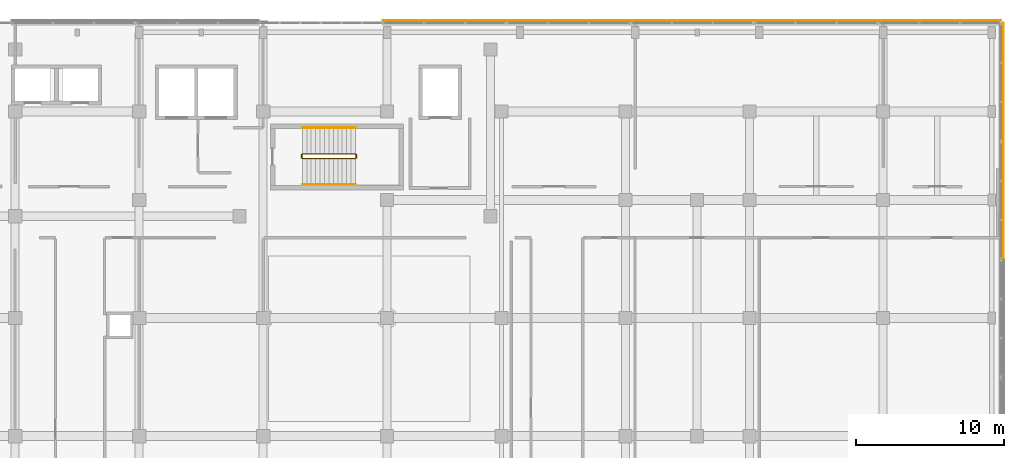
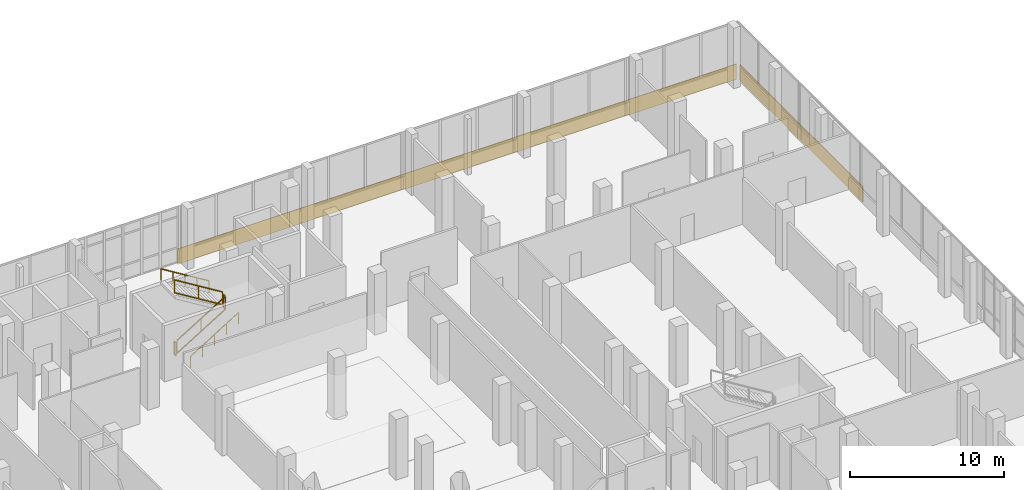
# One storey, part 168 of 168: 7 coverings, 6 railings.
"""IFC4 building model written with IfcOpenShell, lengths in metres."""

import ifcopenshell
import ifcopenshell.guid

model = None  # the IFC model being written
_history = None  # IfcOwnerHistory: only IFC2X3 demands one
_inside = {}  # id of a spatial element -> (the spatial element, [elements in it])
_under = {}  # id of a project, library or spatial element -> (it, [spatial elements below it])
_declared = {}  # id of a project -> (the project, [libraries it declares])
_typed = {}  # id of a type object -> (the type object, [elements of that type])
_made_of = {}  # id of a material, layer set ... -> (it, [elements and type objects made of it])


def new_model(schema):
    """Start an empty IFC model of exactly this schema.

    Asked for "IFC4X3", IfcOpenShell would pick the latest addendum, in which some entities
    have other attributes; the version numbers below select the first issue.
    IFC2X3 requires an IfcOwnerHistory on every rooted entity: one is made here for all.
    """
    global model, _history
    if schema == "IFC4X3":
        model = ifcopenshell.file(schema_version=(4, 3, 0, 0))
    else:
        model = ifcopenshell.file(schema=schema)
    _inside.clear()
    _under.clear()
    _declared.clear()
    _typed.clear()
    _made_of.clear()
    _history = None
    if model.schema == "IFC2X3":
        org = make("IfcOrganization", Name="unknown")
        user = make(
            "IfcPersonAndOrganization",
            ThePerson=make("IfcPerson", FamilyName="unknown"),
            TheOrganization=org,
        )
        app = make(
            "IfcApplication",
            ApplicationDeveloper=org,
            Version="unknown",
            ApplicationFullName="unknown",
            ApplicationIdentifier="unknown",
        )
        _history = make(
            "IfcOwnerHistory",
            OwningUser=user,
            OwningApplication=app,
            ChangeAction="ADDED",
            CreationDate=0,
        )
    return model


def make(cls, **values):
    """One entity of the class cls with the attributes given. An attribute that is None is left unset."""
    return model.create_entity(
        cls, **{name: value for name, value in values.items() if value is not None}
    )


def rooted(cls, **values):
    """An entity with a GlobalId (a new one), such as an element, a storey or a relation."""
    return make(cls, GlobalId=ifcopenshell.guid.new(), OwnerHistory=_history, **values)


def si_unit(unit_type, name, prefix=None):
    """IfcSIUnit, for example si_unit("LENGTHUNIT", "METRE", prefix="MILLI")."""
    return make("IfcSIUnit", UnitType=unit_type, Prefix=prefix, Name=name)


def assignment(units):
    """IfcUnitAssignment: the units of a project."""
    return None if units is None else make("IfcUnitAssignment", Units=units)


def point(xyz):
    """IfcCartesianPoint."""
    return None if xyz is None else make("IfcCartesianPoint", Coordinates=xyz)


def direction(xyz):
    """IfcDirection."""
    return None if xyz is None else make("IfcDirection", DirectionRatios=xyz)


def frame(location, z_axis=None, x_axis=None):
    """IfcAxis2Placement3D, a coordinate frame: its origin and axes. An axis left out is left unset."""
    return make(
        "IfcAxis2Placement3D",
        Location=point(location),
        Axis=direction(z_axis),
        RefDirection=direction(x_axis),
    )


def frame_2d(location, x_axis=None):
    """IfcAxis2Placement2D, a coordinate frame in the plane: its origin and x axis."""
    return make(
        "IfcAxis2Placement2D", Location=point(location), RefDirection=direction(x_axis)
    )


def origin():
    """The frame at (0, 0, 0) with its axes left unset."""
    return frame((0.0, 0.0, 0.0))


def origin_2d():
    """The frame at (0, 0) in the plane with its x axis left unset."""
    return frame_2d((0.0, 0.0))


def place(relative_to, where):
    """IfcLocalPlacement: puts the frame where relative to a parent placement (None: the world)."""
    return make(
        "IfcLocalPlacement", PlacementRelTo=relative_to, RelativePlacement=where
    )


def context(
    kind, dimensions, precision=None, world=None, true_north=None, identifier=None
):
    """IfcGeometricRepresentationContext, for example the 3D "Model" context."""
    return make(
        "IfcGeometricRepresentationContext",
        ContextIdentifier=identifier,
        ContextType=kind,
        CoordinateSpaceDimension=dimensions,
        Precision=precision,
        WorldCoordinateSystem=world,
        TrueNorth=true_north,
    )


def subcontext(parent, identifier, kind, view, scale=None):
    """IfcGeometricRepresentationSubContext, for example "Body" below "Model"."""
    return make(
        "IfcGeometricRepresentationSubContext",
        ContextIdentifier=identifier,
        ContextType=kind,
        ParentContext=parent,
        TargetScale=scale,
        TargetView=view,
    )


def project(units=None, contexts=None):
    """IfcProject with its units and contexts."""
    return rooted(
        "IfcProject",
        Name="project",
        RepresentationContexts=contexts,
        UnitsInContext=assignment(units),
    )


def spatial(cls, under=None, at=None, **own):
    """A site, building, storey or space (cls), placed at a placement, below another one or the project."""
    s = rooted(cls, ObjectPlacement=at, **own)
    if under is not None:
        _under.setdefault(under.id(), (under, []))[1].append(s)
    return s


def profile(cls, at=None, kind="AREA", **sizes):
    """A parametric profile (cls). Its sizes go by their IFC names, for example OverallWidth=200.0."""
    return make(cls, ProfileType=kind, Position=at, **sizes)


def rectangle(**sizes):
    """IfcRectangleProfileDef."""
    return profile("IfcRectangleProfileDef", **sizes)


def circle(**sizes):
    """IfcCircleProfileDef."""
    return profile("IfcCircleProfileDef", **sizes)


def extrude(swept, where, along, depth):
    """IfcExtrudedAreaSolid: the profile swept, set in the frame where, extruded along a direction by depth."""
    return make(
        "IfcExtrudedAreaSolid",
        SweptArea=swept,
        Position=where,
        ExtrudedDirection=direction(along),
        Depth=depth,
    )


def shape(context_of_items, identifier, shape_type, items):
    """IfcShapeRepresentation: the items that make up one representation, for example the "Body"."""
    return make(
        "IfcShapeRepresentation",
        ContextOfItems=context_of_items,
        RepresentationIdentifier=identifier,
        RepresentationType=shape_type,
        Items=items,
    )


def material(Name=None, Category=None):
    """IfcMaterial."""
    return make("IfcMaterial", Name=Name, Category=Category)


def layer(
    of_material, thickness, ventilated=None, Name=None, Category=None, Priority=None
):
    """IfcMaterialLayer: one layer of a wall or slab, of a material (None: an air gap)."""
    return make(
        "IfcMaterialLayer",
        Material=of_material,
        LayerThickness=thickness,
        IsVentilated=ventilated,
        Name=Name,
        Category=Category,
        Priority=Priority,
    )


def layer_set(layers, Name=None):
    """IfcMaterialLayerSet."""
    return make("IfcMaterialLayerSet", MaterialLayers=layers, LayerSetName=Name)


def made_of(thing, what):
    """Note that an element or type object is made of a material, layer set ...; save() writes the relation."""
    if what is not None:
        _made_of.setdefault(what.id(), (what, []))[1].append(thing)
    return thing


def type_object(cls, material=None, **own):
    """A type object (cls), such as IfcWallType, which elements share."""
    return made_of(rooted(cls, **own), material)


def element(
    cls,
    number,
    at=None,
    inside=None,
    cuts=None,
    type_object=None,
    material=None,
    context=None,
    identifier="Body",
    shape_type=None,
    held_by="IfcProductDefinitionShape",
    body=None,
    shapes=None,
    **own,
):
    """One element of the class cls, such as IfcWall. Its Tag is "e" and its number.

    at: its placement. inside: the storey or other place that contains it. cuts: it is an
    opening in that element (IfcRelVoidsElement). A single representation is given by context,
    identifier, shape_type and body (its items); several are given by shapes. held_by: the class
    of the entity that holds the representations. save() writes the other relations.
    """
    e = rooted(cls, Tag="e%d" % number, ObjectPlacement=at, **own)
    if body is not None:
        shapes = [shape(context, identifier, shape_type, body)]
    if shapes is not None:
        e.Representation = make(held_by, Representations=shapes)
    if inside is not None:
        _inside.setdefault(inside.id(), (inside, []))[1].append(e)
    if cuts is not None:
        rooted(
            "IfcRelVoidsElement", RelatingBuildingElement=cuts, RelatedOpeningElement=e
        )
    if type_object is not None:
        _typed.setdefault(type_object.id(), (type_object, []))[1].append(e)
    return made_of(e, material)


def aggregate(whole, parts):
    """IfcRelAggregates: a whole, such as a stair, and the parts it consists of."""
    return rooted("IfcRelAggregates", RelatingObject=whole, RelatedObjects=parts)


def save(model, path):
    """Write the relations noted so far, then the file.

    IfcRelAggregates (storeys below a building ...), IfcRelContainedInSpatialStructure (elements
    in a storey), IfcRelDefinesByType, IfcRelAssociatesMaterial and IfcRelDeclares: one each for
    every whole, place, type object, material and project.
    """
    for whole, parts in _under.values():
        aggregate(whole, parts)
    for where, things in _inside.values():
        rooted(
            "IfcRelContainedInSpatialStructure",
            RelatedElements=things,
            RelatingStructure=where,
        )
    for kind, things in _typed.values():
        rooted("IfcRelDefinesByType", RelatedObjects=things, RelatingType=kind)
    for what, things in _made_of.values():
        rooted("IfcRelAssociatesMaterial", RelatedObjects=things, RelatingMaterial=what)
    for by, libraries in _declared.values():
        rooted("IfcRelDeclares", RelatingContext=by, RelatedDefinitions=libraries)
    model.write(path)


model = new_model("IFC4")

# Units and contexts
model_context = context("Model", 3, precision=1e-05, world=origin(), true_north=direction((0.0, 1.0)))
body_context = subcontext(model_context, "Body", "Model", "MODEL_VIEW")
ifc_project = project(units=[si_unit("LENGTHUNIT", "METRE"), si_unit("AREAUNIT", "SQUARE_METRE"), si_unit("VOLUMEUNIT", "CUBIC_METRE"), si_unit("PLANEANGLEUNIT", "RADIAN"), si_unit("MASSUNIT", "GRAM", prefix="KILO")], contexts=[model_context])

# Site, building, storey
site_placement = place(None, origin())
site = spatial("IfcSite", under=ifc_project, at=site_placement, CompositionType="ELEMENT")
building_placement = place(site_placement, origin())
building = spatial("IfcBuilding", under=site, at=building_placement, Name="Selatvlak General Hospital", CompositionType="ELEMENT")
storey_placement = place(building_placement, frame((0.0, 0.0, 5.39990234375)))
storey = spatial("IfcBuildingStorey", under=building, at=storey_placement, Name="L01", CompositionType="ELEMENT", Elevation=5.39990234375)

# Coverings
ifc_material_1 = material(Name="White Bauhaus fair-faced cladding panel")
ifc_layer = layer(ifc_material_1, 0.054931640625, Name="White Bauhaus fair-faced cladding panel")
ifc_layer_set = layer_set([ifc_layer], Name="White Bauhaus fair-faced cladding panel")
covering_type = type_object("IfcCoveringType", Name="COV-WHT1", PredefinedType="CLADDING", material=ifc_layer_set)
for number, where, z_axis, x_axis, name in (
    (1, (144.2890625, 120.1650390625, -0.27978515625), (0.0, 0.0, 1.0), (1.0, 0.0, 0.0), "L01 Bauhaus horizontal white spandrel band 0065"),
    (2, (152.6689453125, 120.1650390625, -0.27978515625), (0.0, 0.0, 1.0), (1.0, 0.0, 0.0), "L01 Bauhaus horizontal white spandrel band 0066"),
    (3, (161.049072265625, 120.1650390625, -0.27978515625), (0.0, 0.0, 1.0), (1.0, 0.0, 0.0), "L01 Bauhaus horizontal white spandrel band 0067"),
    (4, (169.428955078125, 120.1650390625, -0.27978515625), (0.0, 0.0, 1.0), (1.0, 0.0, 0.0), "L01 Bauhaus horizontal white spandrel band 0068"),
    (5, (177.80908203125, 120.1650390625, -0.27978515625), (0.0, 0.0, 1.0), (1.0, 0.0, 0.0), "L01 Bauhaus horizontal white spandrel band 0069"),
):
    element("IfcCovering", number, at=place(storey_placement, frame(where, z_axis=z_axis, x_axis=x_axis)), inside=storey, type_object=covering_type, Name=name, PredefinedType="CLADDING", context=body_context, shape_type="SweptSolid", body=[
        extrude(rectangle(XDim=8.3798828125, YDim=0.054931640625, at=origin_2d()), origin(), (0.0, 0.0, 1.0), 1.219970703125),
    ])
covering_1_placement = place(storey_placement, frame((182.1640625, 116.0, -0.27978515625), z_axis=(0.0, 0.0, 1.0), x_axis=(0.0, -1.0, 0.0)))
element("IfcCovering", 6, at=covering_1_placement, inside=storey, type_object=covering_type, Name="L01 Bauhaus horizontal white spandrel band 0070", PredefinedType="CLADDING", context=body_context, shape_type="SweptSolid", body=[
    extrude(rectangle(XDim=8.0, YDim=0.054931640625, at=origin_2d()), origin(), (0.0, 0.0, 1.0), 1.219970703125),
])
covering_2_placement = place(storey_placement, frame((182.1640625, 108.0009765625, -0.27978515625), z_axis=(0.0, 0.0, 1.0), x_axis=(0.000122173047, -0.999999992537, 0.0)))
element("IfcCovering", 7, at=covering_2_placement, inside=storey, type_object=covering_type, Name="L01 Bauhaus horizontal white spandrel band 0071", PredefinedType="CLADDING", context=body_context, shape_type="SweptSolid", body=[
    extrude(rectangle(XDim=7.9990234375, YDim=0.054931640625, at=origin_2d()), origin(), (0.0, 0.0, 1.0), 1.219970703125),
])

# Railings
ifc_material_2 = material(Name="Stainless steel 316 stair guard", Category="steel")
railing_type_1 = type_object("IfcRailingType", Name="RAIL-STG", PredefinedType="GUARDRAIL", material=ifc_material_2)
railing_1_placement = place(storey_placement, frame((134.659912109375, 110.81005859375, 0.184814453125)))
element("IfcRailing", 8, at=railing_1_placement, inside=storey, type_object=railing_type_1, Name="L01 ST-04 stair guard 1", PredefinedType="GUARDRAIL", context=body_context, shape_type="SweptSolid", body=[
    extrude(rectangle(XDim=0.068115234375, YDim=0.068115234375, at=origin_2d()), frame((0.00244140625, 0.0, 1.067626953125), z_axis=(0.85167021472, 0.0, 0.524078090897), x_axis=(0.0, 1.0, 0.0)), (0.0, 0.0, 1.0), 4.22119140625),
    extrude(rectangle(XDim=0.068115234375, YDim=0.068115234375, at=origin_2d()), frame((0.00244140625, 0.0, 0.050537109375), z_axis=(0.85167021472, 0.0, 0.524078090897), x_axis=(0.0, 1.0, 0.0)), (0.0, 0.0, 1.0), 4.22119140625),
    extrude(rectangle(XDim=0.055908203125, YDim=0.055908203125, at=origin_2d()), origin(), (0.0, 0.0, 1.0), 1.029052734375),
    extrude(rectangle(XDim=0.055908203125, YDim=0.055908203125, at=origin_2d()), frame((1.800048828125, 0.0, 1.107666015625)), (0.0, 0.0, 1.0), 1.029052734375),
    extrude(rectangle(XDim=0.055908203125, YDim=0.055908203125, at=origin_2d()), frame((3.60009765625, 0.0, 2.21533203125)), (0.0, 0.0, 1.0), 1.029052734375),
])
railing_2_placement = place(storey_placement, frame((138.31005859375, 110.860107421875, 2.400146484375)))
element("IfcRailing", 9, at=railing_2_placement, inside=storey, type_object=railing_type_1, Name="L01 ST-04 stair guard 2", PredefinedType="GUARDRAIL", context=body_context, shape_type="SweptSolid", body=[
    extrude(rectangle(XDim=0.068115234375, YDim=0.068115234375, at=origin_2d()), frame((0.0, 0.0029296875, 1.06591796875), z_axis=(0.0, 1.0, 0.0), x_axis=(-1.0, 0.0, 0.0)), (0.0, 0.0, 1.0), 0.214111328125),
    extrude(rectangle(XDim=0.068115234375, YDim=0.068115234375, at=origin_2d()), frame((0.0, 0.0029296875, 0.049072265625), z_axis=(0.0, 1.0, 0.0), x_axis=(-1.0, 0.0, 0.0)), (0.0, 0.0, 1.0), 0.214111328125),
    extrude(rectangle(XDim=0.055908203125, YDim=0.055908203125, at=origin_2d()), origin(), (0.0, 0.0, 1.0), 1.029052734375),
    extrude(rectangle(XDim=0.055908203125, YDim=0.055908203125, at=origin_2d()), frame((0.0, 0.219970703125, 0.0)), (0.0, 0.0, 1.0), 1.029052734375),
])
railing_3_placement = place(storey_placement, frame((138.260009765625, 111.1298828125, 2.584716796875)))
element("IfcRailing", 10, at=railing_3_placement, inside=storey, type_object=railing_type_1, Name="L01 ST-04 stair guard 3", PredefinedType="GUARDRAIL", context=body_context, shape_type="SweptSolid", body=[
    extrude(rectangle(XDim=0.068115234375, YDim=0.068115234375, at=origin_2d()), frame((-0.00244140625, 0.0, 1.067626953125), z_axis=(-0.85167021472, 0.0, 0.524078090897), x_axis=(0.0, -1.0, 0.0)), (0.0, 0.0, 1.0), 4.22119140625),
    extrude(rectangle(XDim=0.068115234375, YDim=0.068115234375, at=origin_2d()), frame((-0.00244140625, 0.0, 0.050537109375), z_axis=(-0.85167021472, 0.0, 0.524078090897), x_axis=(0.0, -1.0, 0.0)), (0.0, 0.0, 1.0), 4.22119140625),
    extrude(rectangle(XDim=0.055908203125, YDim=0.055908203125, at=origin_2d()), origin(), (0.0, 0.0, 1.0), 1.029052734375),
    extrude(rectangle(XDim=0.055908203125, YDim=0.055908203125, at=origin_2d()), frame((-1.800048828125, 0.0, 1.107666015625)), (0.0, 0.0, 1.0), 1.029052734375),
    extrude(rectangle(XDim=0.055908203125, YDim=0.055908203125, at=origin_2d()), frame((-3.60009765625, 0.0, 2.21533203125)), (0.0, 0.0, 1.0), 1.029052734375),
])
railing_4_placement = place(storey_placement, frame((134.610107421875, 110.860107421875, 0.0)))
element("IfcRailing", 11, at=railing_4_placement, inside=storey, type_object=railing_type_1, Name="L01 ST-04 stair guard 4", PredefinedType="GUARDRAIL", context=body_context, shape_type="SweptSolid", body=[
    extrude(rectangle(XDim=0.068115234375, YDim=0.068115234375, at=origin_2d()), frame((0.0, 0.0029296875, 1.06591796875), z_axis=(0.0, 1.0, 0.0), x_axis=(-1.0, 0.0, 0.0)), (0.0, 0.0, 1.0), 0.214111328125),
    extrude(rectangle(XDim=0.068115234375, YDim=0.068115234375, at=origin_2d()), frame((0.0, 0.0029296875, 0.049072265625), z_axis=(0.0, 1.0, 0.0), x_axis=(-1.0, 0.0, 0.0)), (0.0, 0.0, 1.0), 0.214111328125),
    extrude(rectangle(XDim=0.055908203125, YDim=0.055908203125, at=origin_2d()), origin(), (0.0, 0.0, 1.0), 1.029052734375),
    extrude(rectangle(XDim=0.055908203125, YDim=0.055908203125, at=origin_2d()), frame((0.0, 0.219970703125, 0.0)), (0.0, 0.0, 1.0), 1.029052734375),
])
ifc_material_3 = material(Name="Stainless steel 316 handrail", Category="steel")
railing_type_2 = type_object("IfcRailingType", Name="RAIL-STH", PredefinedType="HANDRAIL", material=ifc_material_3)
railing_5_placement = place(storey_placement, frame((134.659912109375, 109.050048828125, 0.184814453125)))
element("IfcRailing", 12, at=railing_5_placement, inside=storey, type_object=railing_type_2, Name="L01 ST-04 stair handrail 1", PredefinedType="HANDRAIL", context=body_context, shape_type="SweptSolid", body=[
    extrude(circle(Radius=0.02392578125, at=origin_2d()), frame((0.00244140625, 0.0, 0.87744140625), z_axis=(0.85167021472, 0.0, 0.524078090897), x_axis=(0.0, 1.0, 0.0)), (0.0, 0.0, 1.0), 4.22119140625),
    extrude(circle(Radius=0.02099609375, at=origin_2d()), origin(), (0.0, 0.0, 1.0), 0.848876953125),
    extrude(circle(Radius=0.02099609375, at=origin_2d()), frame((0.89990234375, 0.0, 0.5537109375)), (0.0, 0.0, 1.0), 0.848876953125),
    extrude(circle(Radius=0.02099609375, at=origin_2d()), frame((1.800048828125, 0.0, 1.107666015625)), (0.0, 0.0, 1.0), 0.848876953125),
    extrude(circle(Radius=0.02099609375, at=origin_2d()), frame((2.7001953125, 0.0, 1.66162109375)), (0.0, 0.0, 1.0), 0.848876953125),
    extrude(circle(Radius=0.02099609375, at=origin_2d()), frame((3.60009765625, 0.0, 2.21533203125)), (0.0, 0.0, 1.0), 0.848876953125),
])
railing_6_placement = place(storey_placement, frame((138.260009765625, 112.889892578125, 2.584716796875)))
element("IfcRailing", 13, at=railing_6_placement, inside=storey, type_object=railing_type_2, Name="L01 ST-04 stair handrail 2", PredefinedType="HANDRAIL", context=body_context, shape_type="SweptSolid", body=[
    extrude(circle(Radius=0.02392578125, at=origin_2d()), frame((-0.00244140625, 0.0, 0.87744140625), z_axis=(-0.85167021472, 0.0, 0.524078090897), x_axis=(0.0, -1.0, 0.0)), (0.0, 0.0, 1.0), 4.22119140625),
    extrude(circle(Radius=0.02099609375, at=origin_2d()), origin(), (0.0, 0.0, 1.0), 0.848876953125),
    extrude(circle(Radius=0.02099609375, at=origin_2d()), frame((-0.89990234375, 0.0, 0.5537109375)), (0.0, 0.0, 1.0), 0.848876953125),
    extrude(circle(Radius=0.02099609375, at=origin_2d()), frame((-1.800048828125, 0.0, 1.107666015625)), (0.0, 0.0, 1.0), 0.848876953125),
    extrude(circle(Radius=0.02099609375, at=origin_2d()), frame((-2.7001953125, 0.0, 1.66162109375)), (0.0, 0.0, 1.0), 0.848876953125),
    extrude(circle(Radius=0.02099609375, at=origin_2d()), frame((-3.60009765625, 0.0, 2.21533203125)), (0.0, 0.0, 1.0), 0.848876953125),
])

save(model, "model.ifc")
